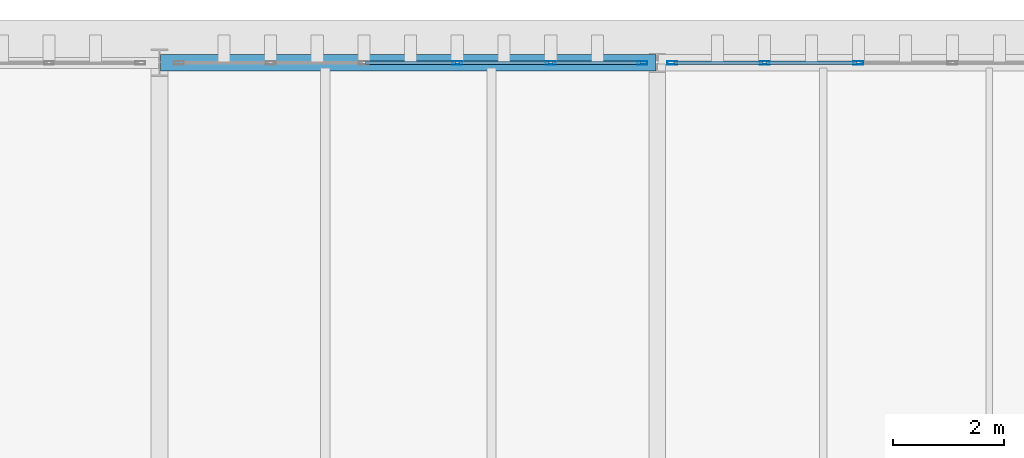
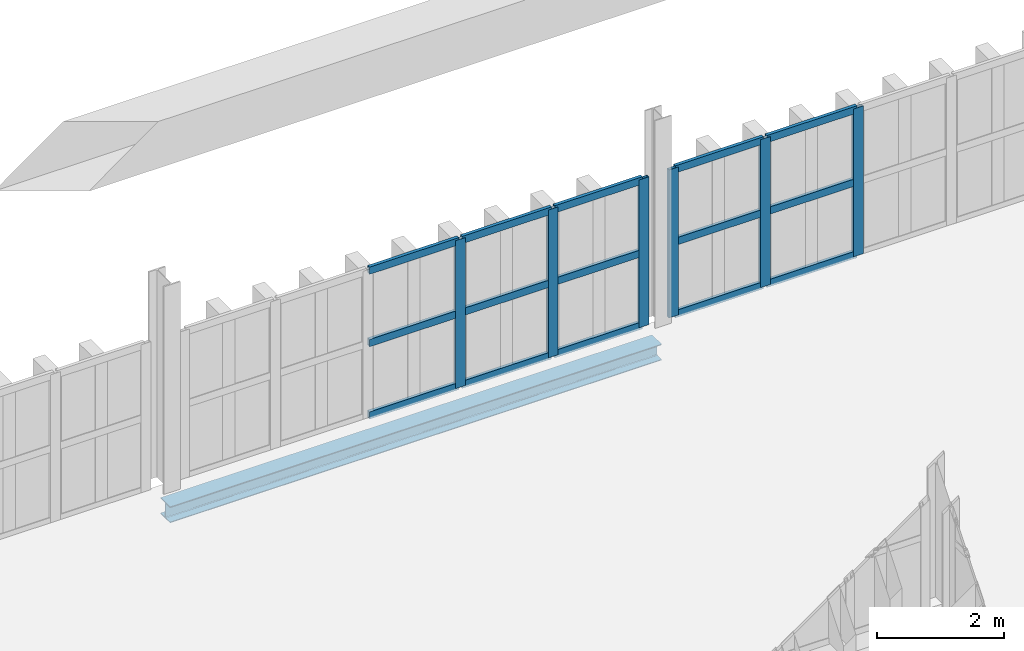
# One storey, part 72 of 102: 21 members, 1 beam, 2 elements without a shape of their own.
"""IFC4 building model written with IfcOpenShell, lengths in metres."""

from ifc_helpers import new_model, si_unit, direction, frame, origin, origin_2d, place, context, subcontext, project, spatial, hollow_rectangle, i_section, extrude, material, layer, layer_set, material_profile, profile_set, type_object, element, aggregate, save


model = new_model("IFC4")

# Units and contexts
model_context = context("Model", 3, precision=1e-05, world=origin(), true_north=direction((0.0, 1.0)))
body_context = subcontext(model_context, "Body", "Model", "MODEL_VIEW")
ifc_project = project(units=[si_unit("LENGTHUNIT", "METRE"), si_unit("AREAUNIT", "SQUARE_METRE"), si_unit("VOLUMEUNIT", "CUBIC_METRE"), si_unit("PLANEANGLEUNIT", "RADIAN"), si_unit("MASSUNIT", "GRAM", prefix="KILO")], contexts=[model_context])

# Site, building, storey
site_placement = place(None, origin())
site = spatial("IfcSite", under=ifc_project, at=site_placement, CompositionType="ELEMENT")
building_placement = place(site_placement, origin())
building = spatial("IfcBuilding", under=site, at=building_placement, Name="Barlavento Convention Centre", CompositionType="ELEMENT")
storey_placement = place(building_placement, frame((0.0, 0.0, 22.800048828125)))
storey = spatial("IfcBuildingStorey", under=building, at=storey_placement, Name="L04", CompositionType="ELEMENT", Elevation=22.800048828125)

# Curtain wall, members
ifc_material_1 = material(Name="Powder-coated aluminium and Low-E glass", Category="aluminium")
ifc_layer = layer(ifc_material_1, 0.18505859375)
ifc_layer_set = layer_set([ifc_layer], Name="ARC-CW-CONF-L04")
curtain_wall_type = type_object("IfcCurtainWallType", Name="ARC-CW-CONF-L04", PredefinedType="NOTDEFINED", material=ifc_layer_set)
curtain_wall_1_placement = place(storey_placement, origin())
curtain_wall_1 = element("IfcCurtainWall", 1, at=curtain_wall_1_placement, inside=storey, type_object=curtain_wall_type, Name="L04 unitised curtain wall CW09", PredefinedType="NOTDEFINED")
ifc_material_2 = material(Name="Powder-coated aluminium", Category="aluminium")
ifc_material_profile_1 = material_profile(ifc_material_2, hollow_rectangle(XDim=0.06005859375, YDim=0.179931640625, WallThickness=0.0048828125, at=origin_2d()), Name="AL-MULL 60x180x5")
ifc_profile_set_1 = profile_set([ifc_material_profile_1], Name="Powder-coated aluminium")
member_type_1 = type_object("IfcMemberType", Name="ARC-CWM-60X180", PredefinedType="MULLION", material=ifc_profile_set_1)
member_1_placement = place(storey_placement, frame((167.384033203125, 99.0, 0.0), z_axis=(0.0, 0.0, 1.0), x_axis=(0.0, 1.0, 0.0)))
member_1 = element("IfcMember", 2, at=member_1_placement, type_object=member_type_1, Name="CW09 mullion 4", PredefinedType="MULLION", context=body_context, shape_type="SweptSolid", body=[
    extrude(hollow_rectangle(XDim=0.06005859375, YDim=0.179931640625, WallThickness=0.0048828125, at=origin_2d()), origin(), (0.0, 0.0, 1.0), 2.849853515625),
])
member_2_placement = place(storey_placement, frame((169.072021484375, 99.0, 0.0), z_axis=(0.0, 0.0, 1.0), x_axis=(0.0, 1.0, 0.0)))
member_2 = element("IfcMember", 3, at=member_2_placement, type_object=member_type_1, Name="CW09 mullion 5", PredefinedType="MULLION", context=body_context, shape_type="SweptSolid", body=[
    extrude(hollow_rectangle(XDim=0.06005859375, YDim=0.179931640625, WallThickness=0.0048828125, at=origin_2d()), origin(), (0.0, 0.0, 1.0), 2.849853515625),
])
member_3_placement = place(storey_placement, frame((170.72998046875, 99.0, 0.0), z_axis=(0.0, 0.0, 1.0), x_axis=(0.0, 1.0, 0.0)))
member_3 = element("IfcMember", 4, at=member_3_placement, type_object=member_type_1, Name="CW09 mullion 6", PredefinedType="MULLION", context=body_context, shape_type="SweptSolid", body=[
    extrude(hollow_rectangle(XDim=0.06005859375, YDim=0.179931640625, WallThickness=0.0048828125, at=origin_2d()), origin(), (0.0, 0.0, 1.0), 2.849853515625),
])

curtain_wall_2_placement = place(storey_placement, origin())
curtain_wall_2 = element("IfcCurtainWall", 5, at=curtain_wall_2_placement, inside=storey, type_object=curtain_wall_type, Name="L04 unitised curtain wall CW09", PredefinedType="NOTDEFINED")
member_4_placement = place(storey_placement, frame((171.27001953125, 99.0, 0.0), z_axis=(0.0, 0.0, 1.0), x_axis=(0.0, 1.0, 0.0)))
member_4 = element("IfcMember", 6, at=member_4_placement, type_object=member_type_1, Name="CW09 mullion 1", PredefinedType="MULLION", context=body_context, shape_type="SweptSolid", body=[
    extrude(hollow_rectangle(XDim=0.06005859375, YDim=0.179931640625, WallThickness=0.0048828125, at=origin_2d()), origin(), (0.0, 0.0, 1.0), 2.849853515625),
])
member_5_placement = place(storey_placement, frame((172.93798828125, 99.0, 0.0), z_axis=(0.0, 0.0, 1.0), x_axis=(0.0, 1.0, 0.0)))
member_5 = element("IfcMember", 7, at=member_5_placement, type_object=member_type_1, Name="CW09 mullion 2", PredefinedType="MULLION", context=body_context, shape_type="SweptSolid", body=[
    extrude(hollow_rectangle(XDim=0.06005859375, YDim=0.179931640625, WallThickness=0.0048828125, at=origin_2d()), origin(), (0.0, 0.0, 1.0), 2.849853515625),
])
member_6_placement = place(storey_placement, frame((174.635986328125, 99.0, 0.0), z_axis=(0.0, 0.0, 1.0), x_axis=(0.0, 1.0, 0.0)))
member_6 = element("IfcMember", 8, at=member_6_placement, type_object=member_type_1, Name="CW09 mullion 3", PredefinedType="MULLION", context=body_context, shape_type="SweptSolid", body=[
    extrude(hollow_rectangle(XDim=0.06005859375, YDim=0.179931640625, WallThickness=0.0048828125, at=origin_2d()), origin(), (0.0, 0.0, 1.0), 2.849853515625),
])

# Member
ifc_material_profile_2 = material_profile(ifc_material_2, hollow_rectangle(XDim=0.06005859375, YDim=0.139892578125, WallThickness=0.00390625, at=origin_2d()), Name="AL-TRAN 60x140x4")
ifc_profile_set_2 = profile_set([ifc_material_profile_2], Name="Powder-coated aluminium")
member_type_2 = type_object("IfcMemberType", Name="ARC-CWT-60X140", PredefinedType="USERDEFINED", material=ifc_profile_set_2)
member_7_placement = place(storey_placement, frame((165.72607421875, 99.0, 0.030029296875), z_axis=(1.0, 0.0, 0.0), x_axis=(0.0, 1.0, 0.0)))
member_7 = element("IfcMember", 9, at=member_7_placement, type_object=member_type_2, Name="CW09 transom 3.1", ObjectType="TRANSOM", PredefinedType="USERDEFINED", context=body_context, shape_type="SweptSolid", body=[
    extrude(hollow_rectangle(XDim=0.06005859375, YDim=0.139892578125, WallThickness=0.00390625, at=origin_2d()), origin(), (0.0, 0.0, 1.0), 1.6279296875),
])

member_8_placement = place(storey_placement, frame((165.72607421875, 99.0, 1.425048828125), z_axis=(1.0, 0.0, 0.0), x_axis=(0.0, 1.0, 0.0)))
member_8 = element("IfcMember", 10, at=member_8_placement, type_object=member_type_2, Name="CW09 transom 3.2", ObjectType="TRANSOM", PredefinedType="USERDEFINED", context=body_context, shape_type="SweptSolid", body=[
    extrude(hollow_rectangle(XDim=0.06005859375, YDim=0.139892578125, WallThickness=0.00390625, at=origin_2d()), origin(), (0.0, 0.0, 1.0), 1.6279296875),
])

member_9_placement = place(storey_placement, frame((165.72607421875, 99.0, 2.820068359375), z_axis=(1.0, 0.0, 0.0), x_axis=(0.0, 1.0, 0.0)))
member_9 = element("IfcMember", 11, at=member_9_placement, type_object=member_type_2, Name="CW09 transom 3.3", ObjectType="TRANSOM", PredefinedType="USERDEFINED", context=body_context, shape_type="SweptSolid", body=[
    extrude(hollow_rectangle(XDim=0.06005859375, YDim=0.139892578125, WallThickness=0.00390625, at=origin_2d()), origin(), (0.0, 0.0, 1.0), 1.6279296875),
])

member_10_placement = place(storey_placement, frame((167.4140625, 99.0, 0.030029296875), z_axis=(1.0, 0.0, 0.0), x_axis=(0.0, 1.0, 0.0)))
member_10 = element("IfcMember", 12, at=member_10_placement, type_object=member_type_2, Name="CW09 transom 4.1", ObjectType="TRANSOM", PredefinedType="USERDEFINED", context=body_context, shape_type="SweptSolid", body=[
    extrude(hollow_rectangle(XDim=0.06005859375, YDim=0.139892578125, WallThickness=0.00390625, at=origin_2d()), origin(), (0.0, 0.0, 1.0), 1.6279296875),
])

member_11_placement = place(storey_placement, frame((167.4140625, 99.0, 1.425048828125), z_axis=(1.0, 0.0, 0.0), x_axis=(0.0, 1.0, 0.0)))
member_11 = element("IfcMember", 13, at=member_11_placement, type_object=member_type_2, Name="CW09 transom 4.2", ObjectType="TRANSOM", PredefinedType="USERDEFINED", context=body_context, shape_type="SweptSolid", body=[
    extrude(hollow_rectangle(XDim=0.06005859375, YDim=0.139892578125, WallThickness=0.00390625, at=origin_2d()), origin(), (0.0, 0.0, 1.0), 1.6279296875),
])

member_12_placement = place(storey_placement, frame((167.4140625, 99.0, 2.820068359375), z_axis=(1.0, 0.0, 0.0), x_axis=(0.0, 1.0, 0.0)))
member_12 = element("IfcMember", 14, at=member_12_placement, type_object=member_type_2, Name="CW09 transom 4.3", ObjectType="TRANSOM", PredefinedType="USERDEFINED", context=body_context, shape_type="SweptSolid", body=[
    extrude(hollow_rectangle(XDim=0.06005859375, YDim=0.139892578125, WallThickness=0.00390625, at=origin_2d()), origin(), (0.0, 0.0, 1.0), 1.6279296875),
])

member_13_placement = place(storey_placement, frame((169.10205078125, 99.0, 0.030029296875), z_axis=(1.0, 0.0, 0.0), x_axis=(0.0, 1.0, 0.0)))
member_13 = element("IfcMember", 15, at=member_13_placement, type_object=member_type_2, Name="CW09 transom 5.1", ObjectType="TRANSOM", PredefinedType="USERDEFINED", context=body_context, shape_type="SweptSolid", body=[
    extrude(hollow_rectangle(XDim=0.06005859375, YDim=0.139892578125, WallThickness=0.00390625, at=origin_2d()), origin(), (0.0, 0.0, 1.0), 1.597900390625),
])

member_14_placement = place(storey_placement, frame((169.10205078125, 99.0, 1.425048828125), z_axis=(1.0, 0.0, 0.0), x_axis=(0.0, 1.0, 0.0)))
member_14 = element("IfcMember", 16, at=member_14_placement, type_object=member_type_2, Name="CW09 transom 5.2", ObjectType="TRANSOM", PredefinedType="USERDEFINED", context=body_context, shape_type="SweptSolid", body=[
    extrude(hollow_rectangle(XDim=0.06005859375, YDim=0.139892578125, WallThickness=0.00390625, at=origin_2d()), origin(), (0.0, 0.0, 1.0), 1.597900390625),
])

member_15_placement = place(storey_placement, frame((169.10205078125, 99.0, 2.820068359375), z_axis=(1.0, 0.0, 0.0), x_axis=(0.0, 1.0, 0.0)))
member_15 = element("IfcMember", 17, at=member_15_placement, type_object=member_type_2, Name="CW09 transom 5.3", ObjectType="TRANSOM", PredefinedType="USERDEFINED", context=body_context, shape_type="SweptSolid", body=[
    extrude(hollow_rectangle(XDim=0.06005859375, YDim=0.139892578125, WallThickness=0.00390625, at=origin_2d()), origin(), (0.0, 0.0, 1.0), 1.597900390625),
])

aggregate(curtain_wall_1, [member_1, member_2, member_3, member_7, member_8, member_9, member_10, member_11, member_12, member_13, member_14, member_15])

member_16_placement = place(storey_placement, frame((171.300048828125, 99.0, 0.030029296875), z_axis=(1.0, 0.0, 0.0), x_axis=(0.0, 1.0, 0.0)))
member_16 = element("IfcMember", 18, at=member_16_placement, type_object=member_type_2, Name="CW09 transom 1.1", ObjectType="TRANSOM", PredefinedType="USERDEFINED", context=body_context, shape_type="SweptSolid", body=[
    extrude(hollow_rectangle(XDim=0.06005859375, YDim=0.139892578125, WallThickness=0.00390625, at=origin_2d()), origin(), (0.0, 0.0, 1.0), 1.60791015625),
])

member_17_placement = place(storey_placement, frame((171.300048828125, 99.0, 1.425048828125), z_axis=(1.0, 0.0, 0.0), x_axis=(0.0, 1.0, 0.0)))
member_17 = element("IfcMember", 19, at=member_17_placement, type_object=member_type_2, Name="CW09 transom 1.2", ObjectType="TRANSOM", PredefinedType="USERDEFINED", context=body_context, shape_type="SweptSolid", body=[
    extrude(hollow_rectangle(XDim=0.06005859375, YDim=0.139892578125, WallThickness=0.00390625, at=origin_2d()), origin(), (0.0, 0.0, 1.0), 1.60791015625),
])

member_18_placement = place(storey_placement, frame((171.300048828125, 99.0, 2.820068359375), z_axis=(1.0, 0.0, 0.0), x_axis=(0.0, 1.0, 0.0)))
member_18 = element("IfcMember", 20, at=member_18_placement, type_object=member_type_2, Name="CW09 transom 1.3", ObjectType="TRANSOM", PredefinedType="USERDEFINED", context=body_context, shape_type="SweptSolid", body=[
    extrude(hollow_rectangle(XDim=0.06005859375, YDim=0.139892578125, WallThickness=0.00390625, at=origin_2d()), origin(), (0.0, 0.0, 1.0), 1.60791015625),
])

member_19_placement = place(storey_placement, frame((172.968017578125, 99.0, 0.030029296875), z_axis=(1.0, 0.0, 0.0), x_axis=(0.0, 1.0, 0.0)))
member_19 = element("IfcMember", 21, at=member_19_placement, type_object=member_type_2, Name="CW09 transom 2.1", ObjectType="TRANSOM", PredefinedType="USERDEFINED", context=body_context, shape_type="SweptSolid", body=[
    extrude(hollow_rectangle(XDim=0.06005859375, YDim=0.139892578125, WallThickness=0.00390625, at=origin_2d()), origin(), (0.0, 0.0, 1.0), 1.637939453125),
])

member_20_placement = place(storey_placement, frame((172.968017578125, 99.0, 1.425048828125), z_axis=(1.0, 0.0, 0.0), x_axis=(0.0, 1.0, 0.0)))
member_20 = element("IfcMember", 22, at=member_20_placement, type_object=member_type_2, Name="CW09 transom 2.2", ObjectType="TRANSOM", PredefinedType="USERDEFINED", context=body_context, shape_type="SweptSolid", body=[
    extrude(hollow_rectangle(XDim=0.06005859375, YDim=0.139892578125, WallThickness=0.00390625, at=origin_2d()), origin(), (0.0, 0.0, 1.0), 1.637939453125),
])

member_21_placement = place(storey_placement, frame((172.968017578125, 99.0, 2.820068359375), z_axis=(1.0, 0.0, 0.0), x_axis=(0.0, 1.0, 0.0)))
member_21 = element("IfcMember", 23, at=member_21_placement, type_object=member_type_2, Name="CW09 transom 2.3", ObjectType="TRANSOM", PredefinedType="USERDEFINED", context=body_context, shape_type="SweptSolid", body=[
    extrude(hollow_rectangle(XDim=0.06005859375, YDim=0.139892578125, WallThickness=0.00390625, at=origin_2d()), origin(), (0.0, 0.0, 1.0), 1.637939453125),
])

aggregate(curtain_wall_2, [member_4, member_5, member_6, member_16, member_17, member_18, member_19, member_20, member_21])

# Beam
ifc_material_3 = material(Name="Steel S355", Category="steel")
ifc_material_profile_3 = material_profile(ifc_material_3, i_section(OverallWidth=0.300048828125, OverallDepth=0.31005859375, WebThickness=0.009033203125, FlangeThickness=0.015380859375, FilletRadius=0.027099609375, at=origin_2d()), Name="HEA 320")
ifc_profile_set_3 = profile_set([ifc_material_profile_3], Name="Steel S355")
beam_type = type_object("IfcBeamType", Name="STR-BM-SPN-HEA320", PredefinedType="SPANDREL", material=ifc_profile_set_3)
beam_placement = place(storey_placement, frame((162.02001953125, 99.0, -0.51513671875), z_axis=(1.0, 0.0, 0.0), x_axis=(0.0, 1.0, 0.0)))
element("IfcBeam", 24, at=beam_placement, inside=storey, type_object=beam_type, Name="L04 primary girder SP01", PredefinedType="SPANDREL", context=body_context, shape_type="SweptSolid", body=[
    extrude(i_section(OverallWidth=0.300048828125, OverallDepth=0.31005859375, WebThickness=0.009033203125, FlangeThickness=0.015380859375, FilletRadius=0.027099609375, at=origin_2d()), origin(), (0.0, 0.0, 1.0), 8.9599609375),
])

save(model, "model.ifc")
